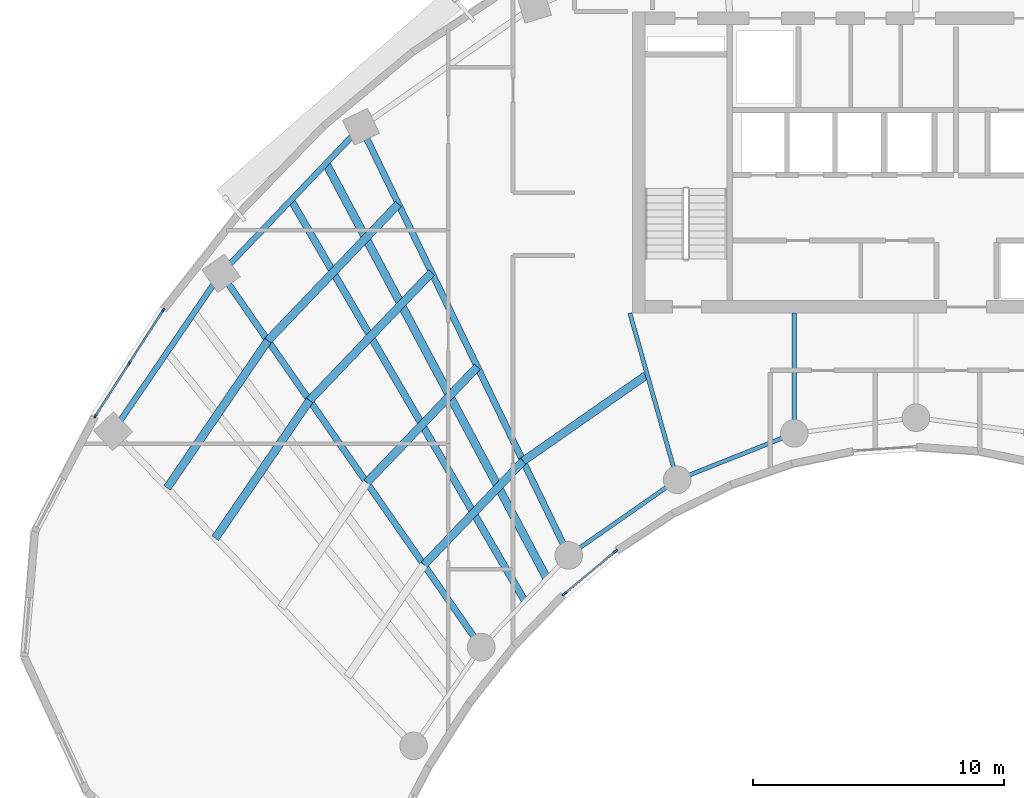
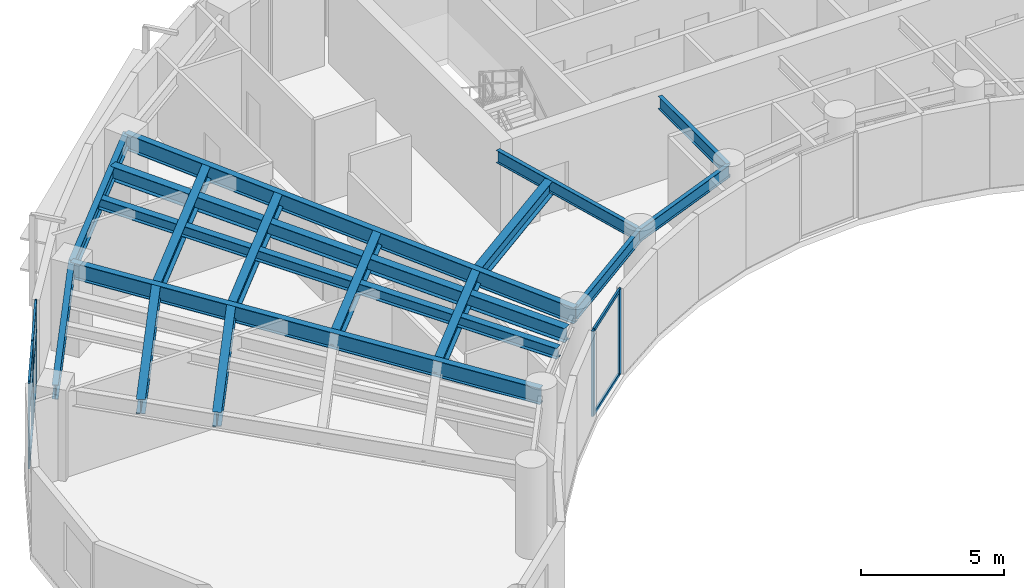
# One storey, part 2 of 13: 17 beams, 13 members, 2 elements without a shape of their own.
"""IFC4 building model written with IfcOpenShell, lengths in metres."""

from ifc_helpers import new_model, si_unit, direction, frame, origin, origin_2d, place, context, subcontext, project, spatial, rectangle, i_section, extrude, source, transform, mapped, material, layer, layer_set, material_profile, profile_set, type_object, type_shapes, element, aggregate, save


model = new_model("IFC4")

# Units and contexts
model_context = context("Model", 3, precision=1e-05, world=origin(), true_north=direction((0.0, 1.0)))
body_context = subcontext(model_context, "Body", "Model", "MODEL_VIEW")
ifc_project = project(units=[si_unit("LENGTHUNIT", "METRE"), si_unit("AREAUNIT", "SQUARE_METRE"), si_unit("VOLUMEUNIT", "CUBIC_METRE"), si_unit("PLANEANGLEUNIT", "RADIAN"), si_unit("MASSUNIT", "GRAM", prefix="KILO")], contexts=[model_context])

# Site, building, storey
site_placement = place(None, origin())
site = spatial("IfcSite", under=ifc_project, at=site_placement, CompositionType="ELEMENT")
building_placement = place(site_placement, origin())
building = spatial("IfcBuilding", under=site, at=building_placement, Name="Breltana Convention Tower", CompositionType="ELEMENT")
storey_placement = place(building_placement, frame((0.0, 0.0, 146.699951171875)))
storey = spatial("IfcBuildingStorey", under=building, at=storey_placement, Name="L35", CompositionType="ELEMENT", Elevation=146.699951171875)

# Beams
ifc_material_1 = material(Name="Steel ASTM A992 Grade 50", Category="steel")
ifc_material_profile_1 = material_profile(ifc_material_1, i_section(OverallWidth=0.25390625, OverallDepth=0.68798828125, WebThickness=0.01318359375, FlangeThickness=0.02099609375, at=origin_2d()), Name="W27X102")
ifc_profile_set_1 = profile_set([ifc_material_profile_1], Name="Steel ASTM A992 Grade 50")
beam_type_1 = type_object("IfcBeamType", Name="BM-RG-W27X102", PredefinedType="USERDEFINED", material=ifc_profile_set_1)
shared_shape_1 = source(origin(), body_context, "Body", "SweptSolid", [
    extrude(i_section(OverallWidth=0.25390625, OverallDepth=0.68798828125, WebThickness=0.01318359375, FlangeThickness=0.02099609375, at=origin_2d()), origin(), (0.0, 0.0, 1.0), 18.1484375),
])
beam_1_placement = place(storey_placement, frame((30.67724609375, 46.892333984375, 3.30615234375), z_axis=(-0.571207556098, 0.820805657788, 0.0), x_axis=(-0.820805657788, -0.571207556098, 0.0)))
element("IfcBeam", 1, at=beam_1_placement, inside=storey, type_object=beam_type_1, Name="L35 Radial Floor Girder R02", ObjectType="GIRDER", PredefinedType="USERDEFINED", context=body_context, shape_type="MappedRepresentation", body=[
    mapped(shared_shape_1, transform((0.0, 0.0, 0.0), scale=1.0)),
])
shared_shape_2 = source(origin(), body_context, "Body", "SweptSolid", [
    extrude(i_section(OverallWidth=0.25390625, OverallDepth=0.68798828125, WebThickness=0.01318359375, FlangeThickness=0.02099609375, at=origin_2d()), origin(), (0.0, 0.0, 1.0), 18.982421875),
])
beam_2_placement = place(storey_placement, frame((34.166259765625, 50.544921875, 3.30615234375), z_axis=(-0.436118560343, 0.89988921614, 0.0), x_axis=(-0.89988921614, -0.436118560343, 0.0)))
element("IfcBeam", 2, at=beam_2_placement, inside=storey, type_object=beam_type_1, Name="L35 Radial Floor Girder R03", ObjectType="GIRDER", PredefinedType="USERDEFINED", context=body_context, shape_type="MappedRepresentation", body=[
    mapped(shared_shape_2, transform((0.0, 0.0, 0.0), scale=1.0)),
])
ifc_material_profile_2 = material_profile(ifc_material_1, i_section(OverallWidth=0.166015625, OverallDepth=0.534912109375, WebThickness=0.01025390625, FlangeThickness=0.0166015625, at=origin_2d()), Name="W21X57")
ifc_profile_set_2 = profile_set([ifc_material_profile_2], Name="Steel ASTM A992 Grade 50")
beam_type_2 = type_object("IfcBeamType", Name="BM-BM-W21X57", PredefinedType="BEAM", material=ifc_profile_set_2)
shared_shape_3 = source(origin(), body_context, "Body", "SweptSolid", [
    extrude(i_section(OverallWidth=0.166015625, OverallDepth=0.534912109375, WebThickness=0.01025390625, FlangeThickness=0.0166015625, at=origin_2d()), origin(), (0.0, 0.0, 1.0), 6.904541015625),
])
type_shapes(beam_type_2, [shared_shape_3])
beam_3_placement = place(storey_placement, frame((36.60009765625, 60.199951171875, 3.382568359375), z_axis=(0.273006781054, -0.962012108811, 0.0), x_axis=(0.962012108811, 0.273006781054, 0.0)))
element("IfcBeam", 3, at=beam_3_placement, inside=storey, type_object=beam_type_2, Name="L35 South Core Tie Girder R04", PredefinedType="BEAM", context=body_context, shape_type="MappedRepresentation", body=[
    mapped(shared_shape_3, transform((0.0, 0.0, 0.0), scale=1.0)),
])
shared_shape_4 = source(origin(), body_context, "Body", "SweptSolid", [
    extrude(i_section(OverallWidth=0.166015625, OverallDepth=0.534912109375, WebThickness=0.01025390625, FlangeThickness=0.0166015625, at=origin_2d()), origin(), (0.0, 0.0, 1.0), 4.789306640625),
])
beam_4_placement = place(storey_placement, frame((43.153564453125, 60.199951171875, 3.382568359375), z_axis=(0.0, -1.0, 0.0), x_axis=(1.0, 0.0, 0.0)))
element("IfcBeam", 4, at=beam_4_placement, inside=storey, type_object=beam_type_2, Name="L35 South Core Tie Girder R05", PredefinedType="BEAM", context=body_context, shape_type="MappedRepresentation", body=[
    mapped(shared_shape_4, transform((0.0, 0.0, 0.0), scale=1.0)),
])
ifc_material_profile_3 = material_profile(ifc_material_1, i_section(OverallWidth=0.22802734375, OverallDepth=0.60791015625, WebThickness=0.01123046875, FlangeThickness=0.017333984375, at=origin_2d()), Name="W24X76")
ifc_profile_set_3 = profile_set([ifc_material_profile_3], Name="Steel ASTM A992 Grade 50")
beam_type_3 = type_object("IfcBeamType", Name="BM-SP-W24X76", PredefinedType="SPANDREL", material=ifc_profile_set_3)
shared_shape_5 = source(origin(), body_context, "Body", "SweptSolid", [
    extrude(i_section(OverallWidth=0.22802734375, OverallDepth=0.60791015625, WebThickness=0.01123046875, FlangeThickness=0.017333984375, at=origin_2d()), origin(), (0.0, 0.0, 1.0), 7.625),
])
type_shapes(beam_type_3, [shared_shape_5])
beam_5_placement = place(storey_placement, frame((16.0068359375, 55.494384765625, 3.345947265625), z_axis=(0.564452031902, 0.825465870694, 0.0), x_axis=(-0.825465870694, 0.564452031902, 0.0)))
element("IfcBeam", 5, at=beam_5_placement, inside=storey, type_object=beam_type_3, Name="L35 Outer Spandrel Beam 01", PredefinedType="SPANDREL", context=body_context, shape_type="MappedRepresentation", body=[
    mapped(shared_shape_5, transform((0.0, 0.0, 0.0), scale=1.0)),
])
shared_shape_6 = source(origin(), body_context, "Body", "SweptSolid", [
    extrude(i_section(OverallWidth=0.22802734375, OverallDepth=0.60791015625, WebThickness=0.01123046875, FlangeThickness=0.017333984375, at=origin_2d()), origin(), (0.0, 0.0, 1.0), 8.073974609375),
])
beam_6_placement = place(storey_placement, frame((20.310791015625, 61.78857421875, 3.345947265625), z_axis=(0.69072885448, 0.723113856588, 0.0), x_axis=(-0.723113856588, 0.69072885448, 0.0)))
element("IfcBeam", 6, at=beam_6_placement, inside=storey, type_object=beam_type_3, Name="L35 Outer Spandrel Beam 02", PredefinedType="SPANDREL", context=body_context, shape_type="MappedRepresentation", body=[
    mapped(shared_shape_6, transform((0.0, 0.0, 0.0), scale=1.0)),
])
shared_shape_7 = source(origin(), body_context, "Body", "SweptSolid", [
    extrude(i_section(OverallWidth=0.166015625, OverallDepth=0.534912109375, WebThickness=0.01025390625, FlangeThickness=0.0166015625, at=origin_2d()), origin(), (0.0, 0.0, 1.0), 5.265869140625),
])
beam_7_placement = place(storey_placement, frame((34.166259765625, 50.544921875, 3.382568359375), z_axis=(0.820167429517, 0.572123577176, 0.0), x_axis=(-0.572123577176, 0.820167429517, 0.0)))
element("IfcBeam", 7, at=beam_7_placement, inside=storey, type_object=beam_type_2, Name="L35 Inner Ring Beam 03", PredefinedType="BEAM", context=body_context, shape_type="MappedRepresentation", body=[
    mapped(shared_shape_7, transform((0.0, 0.0, 0.0), scale=1.0)),
])
shared_shape_8 = source(origin(), body_context, "Body", "SweptSolid", [
    extrude(i_section(OverallWidth=0.166015625, OverallDepth=0.534912109375, WebThickness=0.01025390625, FlangeThickness=0.0166015625, at=origin_2d()), origin(), (0.0, 0.0, 1.0), 5.022705078125),
])
beam_8_placement = place(storey_placement, frame((38.485107421875, 53.5576171875, 3.382568359375), z_axis=(0.929458966248, 0.368925507469, 0.0), x_axis=(-0.368925507469, 0.929458966248, 0.0)))
element("IfcBeam", 8, at=beam_8_placement, inside=storey, type_object=beam_type_2, Name="L35 Inner Ring Beam 04", PredefinedType="BEAM", context=body_context, shape_type="MappedRepresentation", body=[
    mapped(shared_shape_8, transform((0.0, 0.0, 0.0), scale=1.0)),
])
ifc_material_profile_4 = material_profile(ifc_material_1, i_section(OverallWidth=0.323974609375, OverallDepth=0.611083984375, WebThickness=0.0126953125, FlangeThickness=0.01904296875, at=origin_2d()), Name="W24X104")
ifc_profile_set_4 = profile_set([ifc_material_profile_4], Name="Steel ASTM A992 Grade 50")
beam_type_4 = type_object("IfcBeamType", Name="BM-JSG-01", PredefinedType="JOIST", material=ifc_profile_set_4)
shared_shape_9 = source(origin(), body_context, "Body", "SweptSolid", [
    extrude(i_section(OverallWidth=0.323974609375, OverallDepth=0.611083984375, WebThickness=0.0126953125, FlangeThickness=0.01904296875, at=origin_2d()), origin(), (0.0, 0.0, 1.0), 6.654541015625),
])
beam_9_placement = place(storey_placement, frame((20.0791015625, 51.23095703125, 3.344482421875), z_axis=(0.564482668195, 0.82544492082, 0.0), x_axis=(-0.82544492082, 0.564482668195, 0.0)))
element("IfcBeam", 9, at=beam_9_placement, inside=storey, type_object=beam_type_4, Name="L35 Composite Floor Joist 01.3", PredefinedType="JOIST", context=body_context, shape_type="MappedRepresentation", body=[
    mapped(shared_shape_9, transform((0.0, 0.0, 0.0), scale=1.0)),
])
shared_shape_10 = source(origin(), body_context, "Body", "SweptSolid", [
    extrude(i_section(OverallWidth=0.323974609375, OverallDepth=0.611083984375, WebThickness=0.0126953125, FlangeThickness=0.01904296875, at=origin_2d()), origin(), (0.0, 0.0, 1.0), 7.111328125),
])
beam_10_placement = place(storey_placement, frame((18.162841796875, 53.2373046875, 3.344482421875), z_axis=(0.564446356178, 0.825469751715, 0.0), x_axis=(-0.825469751715, 0.564446356178, 0.0)))
element("IfcBeam", 10, at=beam_10_placement, inside=storey, type_object=beam_type_4, Name="L35 Composite Floor Joist 01.4", PredefinedType="JOIST", context=body_context, shape_type="MappedRepresentation", body=[
    mapped(shared_shape_10, transform((0.0, 0.0, 0.0), scale=1.0)),
])
shared_shape_11 = source(origin(), body_context, "Body", "SweptSolid", [
    extrude(i_section(OverallWidth=0.323974609375, OverallDepth=0.611083984375, WebThickness=0.0126953125, FlangeThickness=0.01904296875, at=origin_2d()), origin(), (0.0, 0.0, 1.0), 5.716064453125),
])
beam_11_placement = place(storey_placement, frame((28.396484375, 50.169677734375, 3.344482421875), z_axis=(0.690756060045, 0.723087868458, 0.0), x_axis=(-0.723087868458, 0.690756060045, 0.0)))
element("IfcBeam", 11, at=beam_11_placement, inside=storey, type_object=beam_type_4, Name="L35 Composite Floor Joist 02.1", PredefinedType="JOIST", context=body_context, shape_type="MappedRepresentation", body=[
    mapped(shared_shape_11, transform((0.0, 0.0, 0.0), scale=1.0)),
])
shared_shape_12 = source(origin(), body_context, "Body", "SweptSolid", [
    extrude(i_section(OverallWidth=0.323974609375, OverallDepth=0.611083984375, WebThickness=0.0126953125, FlangeThickness=0.01904296875, at=origin_2d()), origin(), (0.0, 0.0, 1.0), 6.381103515625),
])
beam_12_placement = place(storey_placement, frame((26.115966796875, 53.44677734375, 3.344482421875), z_axis=(0.690737768889, 0.723105341309, 0.0), x_axis=(-0.723105341309, 0.690737768889, 0.0)))
element("IfcBeam", 12, at=beam_12_placement, inside=storey, type_object=beam_type_4, Name="L35 Composite Floor Joist 02.2", PredefinedType="JOIST", context=body_context, shape_type="MappedRepresentation", body=[
    mapped(shared_shape_12, transform((0.0, 0.0, 0.0), scale=1.0)),
])
shared_shape_13 = source(origin(), body_context, "Body", "SweptSolid", [
    extrude(i_section(OverallWidth=0.323974609375, OverallDepth=0.611083984375, WebThickness=0.0126953125, FlangeThickness=0.01904296875, at=origin_2d()), origin(), (0.0, 0.0, 1.0), 7.046142578125),
])
beam_13_placement = place(storey_placement, frame((23.83544921875, 56.723876953125, 3.344482421875), z_axis=(0.690722929904, 0.723119515782, 0.0), x_axis=(-0.723119515782, 0.690722929904, 0.0)))
element("IfcBeam", 13, at=beam_13_placement, inside=storey, type_object=beam_type_4, Name="L35 Composite Floor Joist 02.3", PredefinedType="JOIST", context=body_context, shape_type="MappedRepresentation", body=[
    mapped(shared_shape_13, transform((0.0, 0.0, 0.0), scale=1.0)),
])
shared_shape_14 = source(origin(), body_context, "Body", "SweptSolid", [
    extrude(i_section(OverallWidth=0.323974609375, OverallDepth=0.611083984375, WebThickness=0.0126953125, FlangeThickness=0.01904296875, at=origin_2d()), origin(), (0.0, 0.0, 1.0), 7.529541015625),
])
beam_14_placement = place(storey_placement, frame((22.1767578125, 59.107421875, 3.344482421875), z_axis=(0.690725562031, 0.723117001568, 0.0), x_axis=(-0.723117001568, 0.690725562031, 0.0)))
element("IfcBeam", 14, at=beam_14_placement, inside=storey, type_object=beam_type_4, Name="L35 Composite Floor Joist 02.4", PredefinedType="JOIST", context=body_context, shape_type="MappedRepresentation", body=[
    mapped(shared_shape_14, transform((0.0, 0.0, 0.0), scale=1.0)),
])
ifc_material_profile_5 = material_profile(ifc_material_1, i_section(OverallWidth=0.280029296875, OverallDepth=0.462890625, WebThickness=0.0107421875, FlangeThickness=0.017333984375, at=origin_2d()), Name="W18X76")
ifc_profile_set_5 = profile_set([ifc_material_profile_5], Name="Steel ASTM A992 Grade 50")
beam_type_5 = type_object("IfcBeamType", Name="BM-JSG-06", PredefinedType="JOIST", material=ifc_profile_set_5)
shared_shape_15 = source(origin(), body_context, "Body", "SweptSolid", [
    extrude(i_section(OverallWidth=0.280029296875, OverallDepth=0.462890625, WebThickness=0.0107421875, FlangeThickness=0.017333984375, at=origin_2d()), origin(), (0.0, 0.0, 1.0), 18.50830078125),
])
beam_15_placement = place(storey_placement, frame((32.421630859375, 48.71875, 3.41845703125), z_axis=(-0.50368319637, 0.863888440537, 0.0), x_axis=(-0.863888440537, -0.50368319637, 0.0)))
element("IfcBeam", 15, at=beam_15_placement, inside=storey, type_object=beam_type_5, Name="L35 Mid-Bay Radial Trimmer 02", PredefinedType="JOIST", context=body_context, shape_type="MappedRepresentation", body=[
    mapped(shared_shape_15, transform((0.0, 0.0, 0.0), scale=1.0)),
])
shared_shape_16 = source(origin(), body_context, "Body", "SweptSolid", [
    extrude(i_section(OverallWidth=0.323974609375, OverallDepth=0.611083984375, WebThickness=0.0126953125, FlangeThickness=0.01904296875, at=origin_2d()), origin(), (0.0, 0.0, 1.0), 18.731689453125),
])
beam_16_placement = place(storey_placement, frame((33.2939453125, 49.6318359375, 3.344482421875), z_axis=(-0.469820250451, 0.882762104004, 0.0), x_axis=(-0.882762104004, -0.469820250451, 0.0)))
element("IfcBeam", 16, at=beam_16_placement, inside=storey, type_object=beam_type_4, Name="L35 Quarter-Bay Radial Trimmer 02", PredefinedType="JOIST", context=body_context, shape_type="MappedRepresentation", body=[
    mapped(shared_shape_16, transform((0.0, 0.0, 0.0), scale=1.0)),
])
shared_shape_17 = source(origin(), body_context, "Body", "SweptSolid", [
    extrude(i_section(OverallWidth=0.323974609375, OverallDepth=0.611083984375, WebThickness=0.0126953125, FlangeThickness=0.01904296875, at=origin_2d()), origin(), (0.0, 0.0, 1.0), 5.959228515625),
])
beam_17_placement = place(storey_placement, frame((32.344970703125, 54.302978515625, 3.344482421875), z_axis=(0.820160485262, 0.572133531979, 0.0), x_axis=(-0.572133531979, 0.820160485262, 0.0)))
element("IfcBeam", 17, at=beam_17_placement, inside=storey, type_object=beam_type_4, Name="L35 Composite Floor Joist 03.1", PredefinedType="JOIST", context=body_context, shape_type="MappedRepresentation", body=[
    mapped(shared_shape_17, transform((0.0, 0.0, 0.0), scale=1.0)),
])

# Curtain wall, members
ifc_material_2 = material(Name="Aluminium Anodised Bronze Frame", Category="aluminium")
ifc_layer_1 = layer(ifc_material_2, 0.18994140625, Name="Aluminium Anodised Bronze Frame")
ifc_layer_set_1 = layer_set([ifc_layer_1], Name="Aluminium Anodised Bronze Frame")
curtain_wall_type_1 = type_object("IfcCurtainWallType", Name="CW-SYS-1", PredefinedType="NOTDEFINED", material=ifc_layer_set_1)
curtain_wall_1_placement = place(storey_placement, origin())
curtain_wall_1 = element("IfcCurtainWall", 18, at=curtain_wall_1_placement, inside=storey, type_object=curtain_wall_type_1, Name="L35 inner south-court glazing 5", PredefinedType="NOTDEFINED")
ifc_material_3 = material(Name="Aluminium Anodised Bronze", Category="aluminium")
ifc_material_profile_6 = material_profile(ifc_material_3, rectangle(XDim=0.080078125, YDim=0.199951171875, at=origin_2d()), Name="CWM-80X200")
ifc_profile_set_6 = profile_set([ifc_material_profile_6], Name="Aluminium Anodised Bronze")
member_type_1 = type_object("IfcMemberType", Name="CWM-200", PredefinedType="MULLION", material=ifc_profile_set_6)
shared_shape_18 = source(origin(), body_context, "Body", "SweptSolid", [
    extrude(rectangle(XDim=0.080078125, YDim=0.199951171875, at=origin_2d()), origin(), (0.0, 0.0, 1.0), 3.650146484375),
])
member_1_placement = place(storey_placement, frame((36.024658203125, 50.709228515625, 0.0), z_axis=(0.0, 0.0, 1.0), x_axis=(0.640537495741, -0.767926895316, 0.0)))
member_1 = element("IfcMember", 19, at=member_1_placement, type_object=member_type_1, Name="CW-01 mullion 1", PredefinedType="MULLION", context=body_context, shape_type="MappedRepresentation", body=[
    mapped(shared_shape_18, transform((0.0, 0.0, 0.0), scale=1.0)),
])
member_2_placement = place(storey_placement, frame((33.989990234375, 49.01220703125, 0.0), z_axis=(0.0, 0.0, 1.0), x_axis=(0.640537495741, -0.767926895316, 0.0)))
member_2 = element("IfcMember", 20, at=member_2_placement, type_object=member_type_1, Name="CW-01 mullion 2", PredefinedType="MULLION", context=body_context, shape_type="MappedRepresentation", body=[
    mapped(shared_shape_18, transform((0.0, 0.0, 0.0), scale=1.0)),
])

ifc_layer_2 = layer(ifc_material_2, 0.2099609375, Name="Aluminium Anodised Bronze Frame")
ifc_layer_set_2 = layer_set([ifc_layer_2], Name="Aluminium Anodised Bronze Frame")
curtain_wall_type_2 = type_object("IfcCurtainWallType", Name="CW-SYS-3", PredefinedType="NOTDEFINED", material=ifc_layer_set_2)
curtain_wall_2_placement = place(storey_placement, origin())
curtain_wall_2 = element("IfcCurtainWall", 21, at=curtain_wall_2_placement, inside=storey, type_object=curtain_wall_type_2, Name="L35 outer double-skin inner glazing 1", PredefinedType="NOTDEFINED")
ifc_material_profile_7 = material_profile(ifc_material_3, rectangle(XDim=0.070068359375, YDim=0.175048828125, at=origin_2d()), Name="CWM-70X175")
ifc_profile_set_7 = profile_set([ifc_material_profile_7], Name="Aluminium Anodised Bronze")
member_type_2 = type_object("IfcMemberType", Name="CWM-175", PredefinedType="MULLION", material=ifc_profile_set_7)
shared_shape_19 = source(origin(), body_context, "Body", "SweptSolid", [
    extrude(rectangle(XDim=0.070068359375, YDim=0.175048828125, at=origin_2d()), origin(), (0.0, 0.0, 1.0), 3.650146484375),
])
member_3_placement = place(storey_placement, frame((15.304443359375, 56.10498046875, 0.0), z_axis=(0.0, 0.0, 1.0), x_axis=(-0.841554203529, 0.54017267843, 0.0)))
member_3 = element("IfcMember", 22, at=member_3_placement, type_object=member_type_2, Name="CW-03 mullion 1", PredefinedType="MULLION", context=body_context, shape_type="MappedRepresentation", body=[
    mapped(shared_shape_19, transform((0.0, 0.0, 0.0), scale=1.0)),
])
member_4_placement = place(storey_placement, frame((16.6533203125, 58.20654296875, 0.0), z_axis=(0.0, 0.0, 1.0), x_axis=(-0.841554203529, 0.54017267843, 0.0)))
member_4 = element("IfcMember", 23, at=member_4_placement, type_object=member_type_2, Name="CW-03 mullion 2", PredefinedType="MULLION", context=body_context, shape_type="MappedRepresentation", body=[
    mapped(shared_shape_19, transform((0.0, 0.0, 0.0), scale=1.0)),
])
member_5_placement = place(storey_placement, frame((18.00244140625, 60.308349609375, 0.0), z_axis=(0.0, 0.0, 1.0), x_axis=(-0.841554203529, 0.54017267843, 0.0)))
member_5 = element("IfcMember", 24, at=member_5_placement, type_object=member_type_2, Name="CW-03 mullion 3", PredefinedType="MULLION", context=body_context, shape_type="MappedRepresentation", body=[
    mapped(shared_shape_19, transform((0.0, 0.0, 0.0), scale=1.0)),
])

# Member
ifc_material_profile_8 = material_profile(ifc_material_3, rectangle(XDim=0.080078125, YDim=0.139892578125, at=origin_2d()), Name="CWT-80X140")
ifc_profile_set_8 = profile_set([ifc_material_profile_8], Name="Aluminium Anodised Bronze")
member_type_3 = type_object("IfcMemberType", Name="CWT-140", PredefinedType="USERDEFINED", material=ifc_profile_set_8)
shared_shape_20 = source(origin(), body_context, "Body", "SweptSolid", [
    extrude(rectangle(XDim=0.080078125, YDim=0.139892578125, at=origin_2d()), origin(), (0.0, 0.0, 1.0), 2.5693359375),
])
member_6_placement = place(storey_placement, frame((35.993896484375, 50.68359375, 0.0400390625), z_axis=(-0.767940822982, -0.640520797788, 0.0), x_axis=(0.640520797788, -0.767940822982, 0.0)))
member_6 = element("IfcMember", 25, at=member_6_placement, type_object=member_type_3, Name="CW-01 transom 1.1", ObjectType="TRANSOM", PredefinedType="USERDEFINED", context=body_context, shape_type="MappedRepresentation", body=[
    mapped(shared_shape_20, transform((0.0, 0.0, 0.0), scale=1.0)),
])

member_7_placement = place(storey_placement, frame((35.993896484375, 50.68359375, 3.610107421875), z_axis=(-0.767940822982, -0.640520797788, 0.0), x_axis=(0.640520797788, -0.767940822982, 0.0)))
member_7 = element("IfcMember", 26, at=member_7_placement, type_object=member_type_3, Name="CW-01 transom 1.2", ObjectType="TRANSOM", PredefinedType="USERDEFINED", context=body_context, shape_type="MappedRepresentation", body=[
    mapped(shared_shape_20, transform((0.0, 0.0, 0.0), scale=1.0)),
])

aggregate(curtain_wall_1, [member_1, member_2, member_6, member_7])

shared_shape_21 = source(origin(), body_context, "Body", "SweptSolid", [
    extrude(rectangle(XDim=0.080078125, YDim=0.139892578125, at=origin_2d()), origin(), (0.0, 0.0, 1.0), 2.427490234375),
])
member_8_placement = place(storey_placement, frame((15.3232421875, 56.134521484375, 0.0400390625), z_axis=(0.540203388332, 0.841534490817, 0.0), x_axis=(-0.841534490817, 0.540203388332, 0.0)))
member_8 = element("IfcMember", 27, at=member_8_placement, type_object=member_type_3, Name="CW-03 transom 1.1", ObjectType="TRANSOM", PredefinedType="USERDEFINED", context=body_context, shape_type="MappedRepresentation", body=[
    mapped(shared_shape_21, transform((0.0, 0.0, 0.0), scale=1.0)),
])

member_9_placement = place(storey_placement, frame((15.3232421875, 56.134521484375, 2.37255859375), z_axis=(0.540203388332, 0.841534490817, 0.0), x_axis=(-0.841534490817, 0.540203388332, 0.0)))
member_9 = element("IfcMember", 28, at=member_9_placement, type_object=member_type_3, Name="CW-03 transom 1.2", ObjectType="TRANSOM", PredefinedType="USERDEFINED", context=body_context, shape_type="MappedRepresentation", body=[
    mapped(shared_shape_21, transform((0.0, 0.0, 0.0), scale=1.0)),
])

member_10_placement = place(storey_placement, frame((15.3232421875, 56.134521484375, 3.610107421875), z_axis=(0.540203388332, 0.841534490817, 0.0), x_axis=(-0.841534490817, 0.540203388332, 0.0)))
member_10 = element("IfcMember", 29, at=member_10_placement, type_object=member_type_3, Name="CW-03 transom 1.3", ObjectType="TRANSOM", PredefinedType="USERDEFINED", context=body_context, shape_type="MappedRepresentation", body=[
    mapped(shared_shape_21, transform((0.0, 0.0, 0.0), scale=1.0)),
])

shared_shape_22 = source(origin(), body_context, "Body", "SweptSolid", [
    extrude(rectangle(XDim=0.080078125, YDim=0.139892578125, at=origin_2d()), origin(), (0.0, 0.0, 1.0), 2.42724609375),
])
member_11_placement = place(storey_placement, frame((16.67236328125, 58.236083984375, 0.0400390625), z_axis=(0.540132155308, 0.841580212934, 0.0), x_axis=(-0.841580212934, 0.540132155308, 0.0)))
member_11 = element("IfcMember", 30, at=member_11_placement, type_object=member_type_3, Name="CW-03 transom 2.1", ObjectType="TRANSOM", PredefinedType="USERDEFINED", context=body_context, shape_type="MappedRepresentation", body=[
    mapped(shared_shape_22, transform((0.0, 0.0, 0.0), scale=1.0)),
])

member_12_placement = place(storey_placement, frame((16.67236328125, 58.236083984375, 2.37255859375), z_axis=(0.540132155308, 0.841580212934, 0.0), x_axis=(-0.841580212934, 0.540132155308, 0.0)))
member_12 = element("IfcMember", 31, at=member_12_placement, type_object=member_type_3, Name="CW-03 transom 2.2", ObjectType="TRANSOM", PredefinedType="USERDEFINED", context=body_context, shape_type="MappedRepresentation", body=[
    mapped(shared_shape_22, transform((0.0, 0.0, 0.0), scale=1.0)),
])

member_13_placement = place(storey_placement, frame((16.67236328125, 58.236083984375, 3.610107421875), z_axis=(0.540132155308, 0.841580212934, 0.0), x_axis=(-0.841580212934, 0.540132155308, 0.0)))
member_13 = element("IfcMember", 32, at=member_13_placement, type_object=member_type_3, Name="CW-03 transom 2.3", ObjectType="TRANSOM", PredefinedType="USERDEFINED", context=body_context, shape_type="MappedRepresentation", body=[
    mapped(shared_shape_22, transform((0.0, 0.0, 0.0), scale=1.0)),
])

aggregate(curtain_wall_2, [member_3, member_4, member_5, member_8, member_9, member_10, member_11, member_12, member_13])

save(model, "model.ifc")
